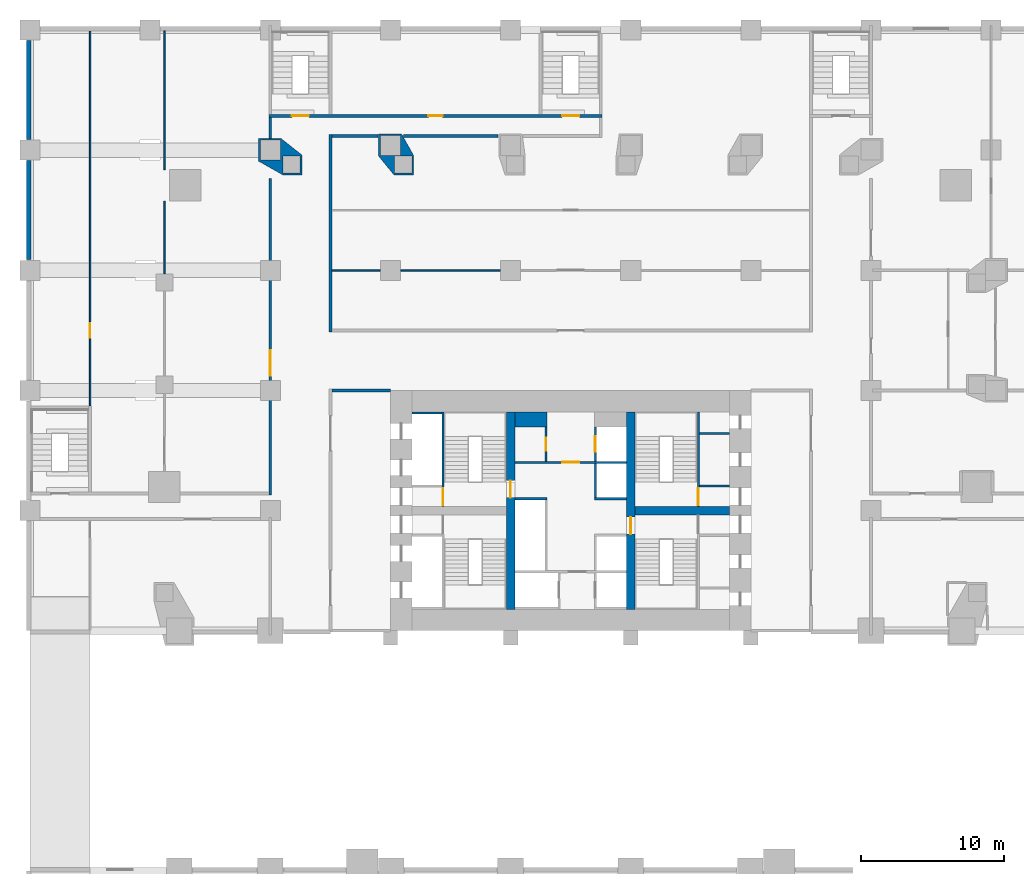
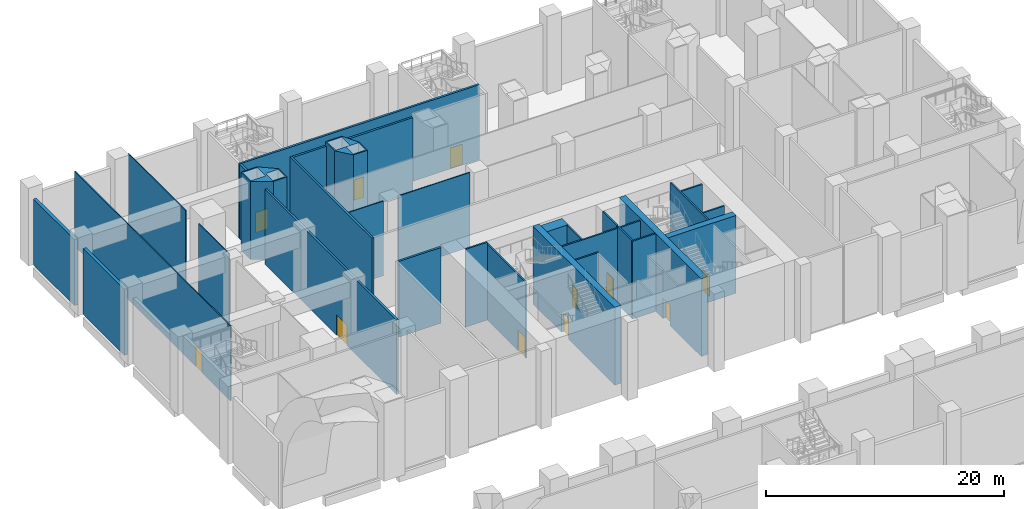
# One storey, part 7 of 19: 31 walls, 12 doors, 12 openings.
"""IFC4 building model written with IfcOpenShell, lengths in metres."""

from ifc_helpers import new_model, si_unit, direction, frame, frame_2d, origin, place, context, subcontext, project, spatial, polyline, rectangle, outline, extrude, material, layer, layer_set, type_object, element, fill, save


model = new_model("IFC4")

# Units and contexts
model_context = context("Model", 3, precision=1e-05, world=origin(), true_north=direction((0.0, 1.0)))
body_context = subcontext(model_context, "Body", "Model", "MODEL_VIEW")
ifc_project = project(units=[si_unit("LENGTHUNIT", "METRE"), si_unit("AREAUNIT", "SQUARE_METRE"), si_unit("VOLUMEUNIT", "CUBIC_METRE"), si_unit("PLANEANGLEUNIT", "RADIAN"), si_unit("MASSUNIT", "GRAM", prefix="KILO")], contexts=[model_context])

# Site, building, storey
site_placement = place(None, origin())
site = spatial("IfcSite", under=ifc_project, at=site_placement, CompositionType="ELEMENT")
building_placement = place(site_placement, origin())
building = spatial("IfcBuilding", under=site, at=building_placement, Name="Marenta Gate Hotel Tower", CompositionType="ELEMENT")
storey_placement = place(building_placement, frame((0.0, 0.0, 13.0)))
storey = spatial("IfcBuildingStorey", under=building, at=storey_placement, Name="L02", CompositionType="ELEMENT", Elevation=13.0)

# Walls
ifc_material_1 = material(Name="Concrete C40 board-marked", Category="concrete")
ifc_layer_1 = layer(ifc_material_1, 0.300048828125)
ifc_layer_set_1 = layer_set([ifc_layer_1], Name="Concrete C40 board-marked")
wall_type_1 = type_object("IfcWallType", Name="Board-marked concrete wall 300 mm", PredefinedType="NOTDEFINED", material=ifc_layer_set_1)
wall_1_placement = place(storey_placement, frame((-37.889892578125, 41.260009765625, 0.0), z_axis=(0.0, 0.0, 1.0), x_axis=(0.0, -1.0, 0.0)))
element("IfcWall", 1, at=wall_1_placement, inside=storey, type_object=wall_type_1, Name="L02-CLD-NB-W000", PredefinedType="NOTDEFINED", context=body_context, shape_type="SweptSolid", body=[
    extrude(rectangle(XDim=6.919921875, YDim=0.300048828125, at=frame_2d((3.4599609375, 0.0))), origin(), (0.0, 0.0, 1.0), 6.780029296875),
])
wall_2_placement = place(storey_placement, frame((-37.889892578125, 32.860107421875, 0.0), z_axis=(0.0, 0.0, 1.0), x_axis=(0.0, -1.0, 0.0)))
element("IfcWall", 2, at=wall_2_placement, inside=storey, type_object=wall_type_1, Name="L02-CLD-NB-W001", PredefinedType="NOTDEFINED", context=body_context, shape_type="SweptSolid", body=[
    extrude(rectangle(XDim=6.920166015625, YDim=0.300048828125, at=frame_2d((3.4599609375, 0.0))), origin(), (0.0, 0.0, 1.0), 6.780029296875),
])
ifc_material_2 = material(Name="Concrete blockwork", Category="masonry")
ifc_layer_2 = layer(ifc_material_2, 0.199951171875)
ifc_layer_set_2 = layer_set([ifc_layer_2], Name="Concrete blockwork")
wall_type_2 = type_object("IfcWallType", Name="Core boundary wall 200 REI 180", PredefinedType="PARTITIONING", material=ifc_layer_set_2)
wall_3_placement = place(storey_placement, frame((-16.699951171875, 16.800048828125, 0.0), z_axis=(0.0, 0.0, 1.0), x_axis=(1.0, 0.0, 0.0)))
element("IfcWall", 3, at=wall_3_placement, inside=storey, type_object=wall_type_2, Name="L02-CP-EW-WN", PredefinedType="PARTITIONING", context=body_context, shape_type="SweptSolid", body=[
    extrude(rectangle(XDim=4.099853515625, YDim=0.199951171875, at=frame_2d((2.0498046875, 0.0))), origin(), (0.0, 0.0, 1.0), 7.780029296875),
])

# Wall, opening, door
ifc_material_3 = material(Name="Concrete blockwork", Category="masonry")
ifc_layer_3 = layer(ifc_material_3, 0.14990234375)
ifc_layer_set_3 = layer_set([ifc_layer_3], Name="Concrete blockwork")
wall_type_3 = type_object("IfcWallType", Name="Core lobby partition 150 REI 180", PredefinedType="PARTITIONING", material=ifc_layer_set_3)
wall_4_placement = place(storey_placement, frame((-3.89990234375, 11.77490234375, 0.0), z_axis=(0.0, 0.0, 1.0), x_axis=(1.0, 0.0, 0.0)))
wall_4 = element("IfcWall", 4, at=wall_4_placement, inside=storey, type_object=wall_type_3, Name="L02-CP-CW-N", PredefinedType="PARTITIONING", context=body_context, shape_type="SweptSolid", body=[
    extrude(rectangle(XDim=7.7998046875, YDim=0.14990234375, at=frame_2d((3.89990234375, 0.0))), origin(), (0.0, 0.0, 1.0), 7.780029296875),
])
opening_1_placement = place(wall_4_placement, frame((3.300048828125, 0.0, 0.0)))
opening_1 = element("IfcOpeningElement", 5, at=opening_1_placement, cuts=wall_4, Name="Opening FD-FFN", PredefinedType="OPENING", context=body_context, shape_type="SweptSolid", body=[
    extrude(rectangle(XDim=1.199951171875, YDim=2.10009765625, at=frame_2d((0.60009765625, 1.050048828125))), frame((0.0, 0.074951171875, 0.0), z_axis=(0.0, -1.0, 0.0), x_axis=(1.0, 0.0, 0.0)), (0.0, 0.0, 1.0), 0.14990234375),
])
ifc_material_4 = material(Name="Steel", Category="steel")
door_type_1 = type_object("IfcDoorType", Name="Core lobby door 1200x2100 FD60", OperationType="SINGLE_SWING_LEFT", PredefinedType="DOOR", material=ifc_material_4)
door_1_placement = place(opening_1_placement, origin())
door_1 = element("IfcDoor", 6, at=door_1_placement, inside=storey, type_object=door_type_1, Name="FD-FFN", OperationType="SINGLE_SWING_LEFT", OverallHeight=2.10009765625, OverallWidth=1.199951171875, PredefinedType="DOOR", context=body_context, shape_type="SweptSolid", body=[
    extrude(rectangle(XDim=1.199951171875, YDim=2.10009765625, at=frame_2d((0.60009765625, 1.050048828125))), frame((0.0, 0.02490234375, 0.0), z_axis=(0.0, -1.0, 0.0), x_axis=(1.0, 0.0, 0.0)), (0.0, 0.0, 1.0), 0.050048828125),
])
fill(opening_1, door_1)

# Walls
ifc_material_5 = material(Name="Concrete blockwork", Category="masonry")
ifc_layer_4 = layer(ifc_material_5, 1.050048828125)
ifc_layer_set_4 = layer_set([ifc_layer_4], Name="Concrete blockwork")
wall_type_4 = type_object("IfcWallType", Name="Core room partition 1050 REI 180", PredefinedType="PARTITIONING", material=ifc_layer_set_4)
wall_5_placement = place(storey_placement, frame((-3.89990234375, 14.77490234375, 0.0), z_axis=(0.0, 0.0, 1.0), x_axis=(1.0, 0.0, 0.0)))
element("IfcWall", 7, at=wall_5_placement, inside=storey, type_object=wall_type_4, Name="L02-CP-CW-W-riser-N", PredefinedType="PARTITIONING", context=body_context, shape_type="SweptSolid", body=[
    extrude(rectangle(XDim=2.25, YDim=1.050048828125, at=frame_2d((1.125, 0.0))), origin(), (0.0, 0.0, 1.0), 7.780029296875),
])
ifc_material_6 = material(Name="Concrete blockwork", Category="masonry")
ifc_layer_5 = layer(ifc_material_6, 0.14990234375)
ifc_layer_set_5 = layer_set([ifc_layer_5], Name="Concrete blockwork")
wall_type_5 = type_object("IfcWallType", Name="Core room partition 150 REI 180", PredefinedType="PARTITIONING", material=ifc_layer_set_5)
for number, where, z_axis, x_axis, name in (
    (8, (9.0, 10.125, 0.0), (0.0, 0.0, 1.0), (1.0, 0.0, 0.0), "L02-CP-SW-EN-2"),
    (9, (9.0, 13.800048828125, 0.0), (0.0, 0.0, 1.0), (1.0, 0.0, 0.0), "L02-CP-RW-EN-1"),
):
    element("IfcWall", number, at=place(storey_placement, frame(where, z_axis=z_axis, x_axis=x_axis)), inside=storey, type_object=wall_type_5, Name=name, PredefinedType="PARTITIONING", context=body_context, shape_type="SweptSolid", body=[
        extrude(rectangle(XDim=2.10009765625, YDim=0.14990234375, at=frame_2d((1.050048828125, 0.0))), origin(), (0.0, 0.0, 1.0), 7.780029296875),
    ])

# Wall, opening, door
wall_6_placement = place(storey_placement, frame((-1.72509765625, 11.85009765625, 0.0), z_axis=(0.0, 0.0, 1.0), x_axis=(0.0, 1.0, 0.0)))
wall_6 = element("IfcWall", 10, at=wall_6_placement, inside=storey, type_object=wall_type_5, Name="L02-CP-CW-W-riser-front", PredefinedType="PARTITIONING", context=body_context, shape_type="SweptSolid", body=[
    extrude(rectangle(XDim=2.39990234375, YDim=0.14990234375, at=frame_2d((1.199951171875, 0.0))), origin(), (0.0, 0.0, 1.0), 7.780029296875),
])
opening_2_placement = place(wall_6_placement, frame((0.75, 0.0, 0.0)))
opening_2 = element("IfcOpeningElement", 11, at=opening_2_placement, cuts=wall_6, Name="Opening RD-CRISER", PredefinedType="OPENING", context=body_context, shape_type="SweptSolid", body=[
    extrude(rectangle(XDim=0.89990234375, YDim=2.10009765625, at=frame_2d((0.449951171875, 1.050048828125))), frame((0.0, 0.074951171875, 0.0), z_axis=(0.0, -1.0, 0.0), x_axis=(1.0, 0.0, 0.0)), (0.0, 0.0, 1.0), 0.14990234375),
])
ifc_material_7 = material(Name="Steel", Category="steel")
door_type_2 = type_object("IfcDoorType", Name="Core riser door 900x2100 FD60", OperationType="SINGLE_SWING_LEFT", PredefinedType="DOOR", material=ifc_material_7)
door_2_placement = place(opening_2_placement, origin())
door_2 = element("IfcDoor", 12, at=door_2_placement, inside=storey, type_object=door_type_2, Name="RD-CRISER", OperationType="SINGLE_SWING_LEFT", OverallHeight=2.10009765625, OverallWidth=0.89990234375, PredefinedType="DOOR", context=body_context, shape_type="SweptSolid", body=[
    extrude(rectangle(XDim=0.89990234375, YDim=2.10009765625, at=frame_2d((0.449951171875, 1.050048828125))), frame((0.0, 0.02490234375, 0.0), z_axis=(0.0, -1.0, 0.0), x_axis=(1.0, 0.0, 0.0)), (0.0, 0.0, 1.0), 0.050048828125),
])
fill(opening_2, door_2)

# Walls
ifc_material_8 = material(Name="Concrete C40", Category="concrete")
ifc_layer_6 = layer(ifc_material_8, 0.14990234375)
ifc_layer_set_6 = layer_set([ifc_layer_6], Name="Concrete C40")
wall_type_6 = type_object("IfcWallType", Name="Core shaft wall 150 REI 180", PredefinedType="SHEAR", material=ifc_layer_set_6)
wall_7_placement = place(storey_placement, frame((-11.10009765625, 15.22509765625, 0.0), z_axis=(0.0, 0.0, 1.0), x_axis=(1.0, 0.0, 0.0)))
element("IfcWall", 13, at=wall_7_placement, inside=storey, type_object=wall_type_6, Name="L02-SHF-SW-WN-5", PredefinedType="SHEAR", context=body_context, shape_type="SweptSolid", body=[
    extrude(rectangle(XDim=2.10009765625, YDim=0.14990234375, at=frame_2d((1.050048828125, 0.0))), origin(), (0.0, 0.0, 1.0), 8.0),
])
wall_8_placement = place(storey_placement, frame((-3.89990234375, 9.22509765625, 0.0), z_axis=(0.0, 0.0, 1.0), x_axis=(1.0, 0.0, 0.0)))
element("IfcWall", 14, at=wall_8_placement, inside=storey, type_object=wall_type_6, Name="L02-SHF-CW-W-sep", PredefinedType="SHEAR", context=body_context, shape_type="SweptSolid", body=[
    extrude(rectangle(XDim=2.25, YDim=0.14990234375, at=frame_2d((1.125, 0.0))), origin(), (0.0, 0.0, 1.0), 8.0),
])

# Wall, opening, door
wall_9_placement = place(storey_placement, frame((1.72509765625, 11.85009765625, 0.0), z_axis=(0.0, 0.0, 1.0), x_axis=(0.0, 1.0, 0.0)))
wall_9 = element("IfcWall", 15, at=wall_9_placement, inside=storey, type_object=wall_type_6, Name="L02-SHF-CE-N-front2", PredefinedType="SHEAR", context=body_context, shape_type="SweptSolid", body=[
    extrude(rectangle(XDim=2.39990234375, YDim=0.14990234375, at=frame_2d((1.199951171875, 0.0))), origin(), (0.0, 0.0, 1.0), 8.0),
])
opening_3_placement = place(wall_9_placement, frame((0.64990234375, 0.0, 0.0)))
opening_3 = element("IfcOpeningElement", 16, at=opening_3_placement, cuts=wall_9, Name="Opening LD-FF2", PredefinedType="OPENING", context=body_context, shape_type="SweptSolid", body=[
    extrude(rectangle(XDim=1.10009765625, YDim=2.10009765625, at=frame_2d((0.550048828125, 1.050048828125))), frame((0.0, 0.074951171875, 0.0), z_axis=(0.0, -1.0, 0.0), x_axis=(1.0, 0.0, 0.0)), (0.0, 0.0, 1.0), 0.14990234375),
])
ifc_material_9 = material(Name="Steel", Category="steel")
door_type_3 = type_object("IfcDoorType", Name="Core lift landing door 1100x2100 E 60", OperationType="SLIDING_TO_LEFT", PredefinedType="DOOR", material=ifc_material_9)
door_3_placement = place(opening_3_placement, origin())
door_3 = element("IfcDoor", 17, at=door_3_placement, inside=storey, type_object=door_type_3, Name="LD-FF2", OperationType="SLIDING_TO_LEFT", OverallHeight=2.10009765625, OverallWidth=1.10009765625, PredefinedType="DOOR", context=body_context, shape_type="SweptSolid", body=[
    extrude(rectangle(XDim=1.10009765625, YDim=2.10009765625, at=frame_2d((0.550048828125, 1.050048828125))), frame((0.0, 0.02490234375, 0.0), z_axis=(0.0, -1.0, 0.0), x_axis=(1.0, 0.0, 0.0)), (0.0, 0.0, 1.0), 0.050048828125),
])
fill(opening_3, door_3)

# Walls
wall_10_placement = place(storey_placement, frame((1.64990234375, 9.22509765625, 0.0), z_axis=(0.0, 0.0, 1.0), x_axis=(1.0, 0.0, 0.0)))
element("IfcWall", 18, at=wall_10_placement, inside=storey, type_object=wall_type_6, Name="L02-SHF-CE-sep2", PredefinedType="SHEAR", context=body_context, shape_type="SweptSolid", body=[
    extrude(rectangle(XDim=2.25, YDim=0.14990234375, at=frame_2d((1.125, 0.0))), origin(), (0.0, 0.0, 1.0), 8.0),
])
wall_11_placement = place(storey_placement, frame((1.72509765625, 9.300048828125, 0.0), z_axis=(0.0, 0.0, 1.0), x_axis=(0.0, 1.0, 0.0)))
element("IfcWall", 19, at=wall_11_placement, inside=storey, type_object=wall_type_6, Name="L02-SHF-CE-front-2", PredefinedType="SHEAR", context=body_context, shape_type="SweptSolid", body=[
    extrude(rectangle(XDim=2.39990234375, YDim=0.14990234375, at=frame_2d((1.199951171875, 0.0))), origin(), (0.0, 0.0, 1.0), 8.0),
])

# Wall, opening, door
ifc_material_10 = material(Name="Concrete C40", Category="concrete")
ifc_layer_7 = layer(ifc_material_10, 0.14990234375)
ifc_layer_set_7 = layer_set([ifc_layer_7], Name="Concrete C40")
wall_type_7 = type_object("IfcWallType", Name="Core stair enclosure wall 150 REI 180", PredefinedType="SHEAR", material=ifc_layer_set_7)
wall_12_placement = place(storey_placement, frame((-8.925048828125, 8.699951171875, 0.0), z_axis=(0.0, 0.0, 1.0), x_axis=(0.0, 1.0, 0.0)))
wall_12 = element("IfcWall", 20, at=wall_12_placement, inside=storey, type_object=wall_type_7, Name="L02-SHF-SW-WN-3", PredefinedType="SHEAR", context=body_context, shape_type="SweptSolid", body=[
    extrude(rectangle(XDim=6.60009765625, YDim=0.14990234375, at=frame_2d((3.300048828125, 0.0))), origin(), (0.0, 0.0, 1.0), 7.780029296875),
])
opening_4_placement = place(wall_12_placement, frame((0.074951171875, 0.0, 0.0)))
opening_4 = element("IfcOpeningElement", 21, at=opening_4_placement, cuts=wall_12, Name="Opening SD-WN", PredefinedType="OPENING", context=body_context, shape_type="SweptSolid", body=[
    extrude(rectangle(XDim=1.199951171875, YDim=2.10009765625, at=frame_2d((0.60009765625, 1.050048828125))), frame((0.0, 0.074951171875, 0.0), z_axis=(0.0, -1.0, 0.0), x_axis=(1.0, 0.0, 0.0)), (0.0, 0.0, 1.0), 0.14990234375),
])
ifc_material_11 = material(Name="Steel", Category="steel")
door_type_4 = type_object("IfcDoorType", Name="Core stair door 1200x2100 FD60", OperationType="SINGLE_SWING_LEFT", PredefinedType="DOOR", material=ifc_material_11)
door_4_placement = place(opening_4_placement, origin())
door_4 = element("IfcDoor", 22, at=door_4_placement, inside=storey, type_object=door_type_4, Name="SD-WN", OperationType="SINGLE_SWING_LEFT", OverallHeight=2.10009765625, OverallWidth=1.199951171875, PredefinedType="DOOR", context=body_context, shape_type="SweptSolid", body=[
    extrude(rectangle(XDim=1.199951171875, YDim=2.10009765625, at=frame_2d((0.60009765625, 1.050048828125))), frame((0.0, 0.02490234375, 0.0), z_axis=(0.0, -1.0, 0.0), x_axis=(1.0, 0.0, 0.0)), (0.0, 0.0, 1.0), 0.050048828125),
])
fill(opening_4, door_4)

wall_13_placement = place(storey_placement, frame((8.925048828125, 8.699951171875, 0.0), z_axis=(0.0, 0.0, 1.0), x_axis=(0.0, 1.0, 0.0)))
wall_13 = element("IfcWall", 23, at=wall_13_placement, inside=storey, type_object=wall_type_7, Name="L02-SHF-SW-EN-3", PredefinedType="SHEAR", context=body_context, shape_type="SweptSolid", body=[
    extrude(rectangle(XDim=6.60009765625, YDim=0.14990234375, at=frame_2d((3.300048828125, 0.0))), origin(), (0.0, 0.0, 1.0), 7.780029296875),
])
opening_5_placement = place(wall_13_placement, frame((0.074951171875, 0.0, 0.0)))
opening_5 = element("IfcOpeningElement", 24, at=opening_5_placement, cuts=wall_13, Name="Opening SD-EN", PredefinedType="OPENING", context=body_context, shape_type="SweptSolid", body=[
    extrude(rectangle(XDim=1.199951171875, YDim=2.10009765625, at=frame_2d((0.60009765625, 1.050048828125))), frame((0.0, 0.074951171875, 0.0), z_axis=(0.0, -1.0, 0.0), x_axis=(1.0, 0.0, 0.0)), (0.0, 0.0, 1.0), 0.14990234375),
])
door_5_placement = place(opening_5_placement, origin())
door_5 = element("IfcDoor", 25, at=door_5_placement, inside=storey, type_object=door_type_4, Name="SD-EN", OperationType="SINGLE_SWING_LEFT", OverallHeight=2.10009765625, OverallWidth=1.199951171875, PredefinedType="DOOR", context=body_context, shape_type="SweptSolid", body=[
    extrude(rectangle(XDim=1.199951171875, YDim=2.10009765625, at=frame_2d((0.60009765625, 1.050048828125))), frame((0.0, 0.02490234375, 0.0), z_axis=(0.0, -1.0, 0.0), x_axis=(1.0, 0.0, 0.0)), (0.0, 0.0, 1.0), 0.050048828125),
])
fill(opening_5, door_5)

ifc_material_12 = material(Name="Concrete C80", Category="concrete")
ifc_layer_8 = layer(ifc_material_12, 0.60009765625)
ifc_layer_set_8 = layer_set([ifc_layer_8], Name="Concrete C80")
wall_type_8 = type_object("IfcWallType", Name="Core web 600 C80", PredefinedType="SHEAR", material=ifc_layer_set_8)
wall_14_placement = place(storey_placement, frame((-4.199951171875, 1.5, 0.0), z_axis=(0.0, 0.0, 1.0), x_axis=(0.0, 1.0, 0.0)))
wall_14 = element("IfcWall", 26, at=wall_14_placement, inside=storey, type_object=wall_type_8, Name="L02-CORE-W1", PredefinedType="SHEAR", context=body_context, shape_type="SweptSolid", body=[
    extrude(rectangle(XDim=13.800048828125, YDim=0.60009765625, at=frame_2d((6.89990234375, 0.0))), origin(), (0.0, 0.0, 1.0), 8.0),
])
opening_6_placement = place(wall_14_placement, frame((7.800048828125, 0.0, 0.0)))
opening_6 = element("IfcOpeningElement", 27, at=opening_6_placement, cuts=wall_14, Name="Opening WD-W", PredefinedType="OPENING", context=body_context, shape_type="SweptSolid", body=[
    extrude(rectangle(XDim=1.199951171875, YDim=2.10009765625, at=frame_2d((0.60009765625, 1.050048828125))), frame((0.0, 0.300048828125, 0.0), z_axis=(0.0, -1.0, 0.0), x_axis=(1.0, 0.0, 0.0)), (0.0, 0.0, 1.0), 0.60009765625),
])
door_6_placement = place(opening_6_placement, origin())
door_6 = element("IfcDoor", 28, at=door_6_placement, inside=storey, type_object=door_type_4, Name="WD-W", OperationType="SINGLE_SWING_LEFT", OverallHeight=2.10009765625, OverallWidth=1.199951171875, PredefinedType="DOOR", context=body_context, shape_type="SweptSolid", body=[
    extrude(rectangle(XDim=1.199951171875, YDim=2.10009765625, at=frame_2d((0.60009765625, 1.050048828125))), frame((0.0, 0.02490234375, 0.0), z_axis=(0.0, -1.0, 0.0), x_axis=(1.0, 0.0, 0.0)), (0.0, 0.0, 1.0), 0.050048828125),
])
fill(opening_6, door_6)

wall_15_placement = place(storey_placement, frame((4.199951171875, 1.5, 0.0), z_axis=(0.0, 0.0, 1.0), x_axis=(0.0, 1.0, 0.0)))
wall_15 = element("IfcWall", 29, at=wall_15_placement, inside=storey, type_object=wall_type_8, Name="L02-CORE-W2", PredefinedType="SHEAR", context=body_context, shape_type="SweptSolid", body=[
    extrude(rectangle(XDim=13.800048828125, YDim=0.60009765625, at=frame_2d((6.89990234375, 0.0))), origin(), (0.0, 0.0, 1.0), 8.0),
])
opening_7_placement = place(wall_15_placement, frame((5.25, 0.0, 0.0)))
opening_7 = element("IfcOpeningElement", 30, at=opening_7_placement, cuts=wall_15, Name="Opening WD-E", PredefinedType="OPENING", context=body_context, shape_type="SweptSolid", body=[
    extrude(rectangle(XDim=1.199951171875, YDim=2.10009765625, at=frame_2d((0.60009765625, 1.050048828125))), frame((0.0, 0.300048828125, 0.0), z_axis=(0.0, -1.0, 0.0), x_axis=(1.0, 0.0, 0.0)), (0.0, 0.0, 1.0), 0.60009765625),
])
door_7_placement = place(opening_7_placement, origin())
door_7 = element("IfcDoor", 31, at=door_7_placement, inside=storey, type_object=door_type_4, Name="WD-E", OperationType="SINGLE_SWING_LEFT", OverallHeight=2.10009765625, OverallWidth=1.199951171875, PredefinedType="DOOR", context=body_context, shape_type="SweptSolid", body=[
    extrude(rectangle(XDim=1.199951171875, YDim=2.10009765625, at=frame_2d((0.60009765625, 1.050048828125))), frame((0.0, 0.02490234375, 0.0), z_axis=(0.0, -1.0, 0.0), x_axis=(1.0, 0.0, 0.0)), (0.0, 0.0, 1.0), 0.050048828125),
])
fill(opening_7, door_7)

# Walls
wall_16_placement = place(storey_placement, frame((4.5, 8.39990234375, 0.0), z_axis=(0.0, 0.0, 1.0), x_axis=(1.0, 0.0, 0.0)))
element("IfcWall", 32, at=wall_16_placement, inside=storey, type_object=wall_type_8, Name="L02-CORE-W4", PredefinedType="SHEAR", context=body_context, shape_type="SweptSolid", body=[
    extrude(rectangle(XDim=6.60009765625, YDim=0.60009765625, at=frame_2d((3.300048828125, 0.0))), origin(), (0.0, 0.0, 1.0), 8.0),
])
ifc_material_13 = material(Name="Concrete C70", Category="concrete")
ifc_layer_9 = layer(ifc_material_13, 1.60009765625)
ifc_layer_set_9 = layer_set([ifc_layer_9], Name="Concrete C70")
wall_type_9 = type_object("IfcWallType", Name="Pier wall board-marked concrete C70", PredefinedType="SOLIDWALL", material=ifc_layer_set_9)
wall_17_placement = place(storey_placement, origin())
element("IfcWall", 33, at=wall_17_placement, inside=storey, type_object=wall_type_9, Name="L02-PIER-2", PredefinedType="SOLIDWALL", context=body_context, shape_type="SweptSolid", body=[
    extrude(outline(polyline([(-21.820068359375, 34.419921875), (-20.25830078125, 34.419921875), (-18.786865234375, 33.258056640625), (-18.786865234375, 31.8798828125), (-20.138427734375, 31.8798828125), (-21.820068359375, 32.830078125), (-21.820068359375, 34.419921875)]), holes=[polyline([(-18.906982421875, 32.0), (-18.906982421875, 33.199951171875), (-20.10693359375, 33.199951171875), (-20.10693359375, 32.0), (-18.906982421875, 32.0)]), polyline([(-20.300048828125, 32.89990234375), (-20.300048828125, 34.300048828125), (-21.699951171875, 34.300048828125), (-21.699951171875, 32.89990234375), (-20.300048828125, 32.89990234375)])]), origin(), (0.0, 0.0, 1.0), 8.0),
])
wall_18_placement = place(storey_placement, origin())
element("IfcWall", 34, at=wall_18_placement, inside=storey, type_object=wall_type_9, Name="L02-PIER-3", PredefinedType="SOLIDWALL", context=body_context, shape_type="SweptSolid", body=[
    extrude(outline(polyline([(-13.419921875, 33.17724609375), (-13.419921875, 34.739990234375), (-11.82958984375, 34.739990234375), (-10.984130859375, 33.2314453125), (-10.984130859375, 31.8798828125), (-12.361083984375, 31.8798828125), (-13.419921875, 33.17724609375)]), holes=[polyline([(-12.30419921875, 32.0), (-11.10400390625, 32.0), (-11.10400390625, 33.199951171875), (-12.30419921875, 33.199951171875), (-12.30419921875, 32.0)]), polyline([(-13.300048828125, 33.219970703125), (-11.89990234375, 33.219970703125), (-11.89990234375, 34.6201171875), (-13.300048828125, 34.6201171875), (-13.300048828125, 33.219970703125)])]), origin(), (0.0, 0.0, 1.0), 8.0),
])

# Wall, opening, door
ifc_material_14 = material(Name="Concrete blockwork", Category="masonry")
ifc_layer_10 = layer(ifc_material_14, 0.199951171875)
ifc_layer_set_10 = layer_set([ifc_layer_10], Name="Concrete blockwork")
wall_type_10 = type_object("IfcWallType", Name="Room corridor wall 200 EI 180", PredefinedType="PARTITIONING", material=ifc_layer_set_10)
wall_19_placement = place(storey_placement, frame((-21.0, 9.5, 0.0), z_axis=(0.0, 0.0, 1.0), x_axis=(0.0, 1.0, 0.0)))
wall_19 = element("IfcWall", 35, at=wall_19_placement, inside=storey, type_object=wall_type_10, Name="L02-PTN-W048", PredefinedType="PARTITIONING", context=body_context, shape_type="SweptSolid", body=[
    extrude(rectangle(XDim=22.135009765625, YDim=0.199951171875, at=frame_2d((11.0673828125, 0.0))), origin(), (0.0, 0.0, 1.0), 7.679931640625),
])
opening_8_placement = place(wall_19_placement, frame((8.318115234375, 0.0, 0.0)))
opening_8 = element("IfcOpeningElement", 36, at=opening_8_placement, cuts=wall_19, Name="Opening S03-04", PredefinedType="OPENING", context=body_context, shape_type="SweptSolid", body=[
    extrude(rectangle(XDim=1.800048828125, YDim=2.10009765625, at=frame_2d((0.89990234375, 1.050048828125))), frame((0.0, 0.10009765625, 0.0), z_axis=(0.0, -1.0, 0.0), x_axis=(1.0, 0.0, 0.0)), (0.0, 0.0, 1.0), 0.199951171875),
])
ifc_material_15 = material(Name="Timber door leaf", Category="wood")
door_type_5 = type_object("IfcDoorType", Name="Room amenity door 1800x2100 EI 60", OperationType="DOUBLE_DOOR_SINGLE_SWING", PredefinedType="DOOR", material=ifc_material_15)
door_8_placement = place(opening_8_placement, origin())
door_8 = element("IfcDoor", 37, at=door_8_placement, inside=storey, type_object=door_type_5, Name="L02-PD-D004", OperationType="DOUBLE_DOOR_SINGLE_SWING", OverallHeight=2.10009765625, OverallWidth=1.800048828125, PredefinedType="DOOR", context=body_context, shape_type="SweptSolid", body=[
    extrude(rectangle(XDim=1.800048828125, YDim=2.10009765625, at=frame_2d((0.89990234375, 1.050048828125))), frame((0.0, 0.02490234375, 0.0), z_axis=(0.0, -1.0, 0.0), x_axis=(1.0, 0.0, 0.0)), (0.0, 0.0, 1.0), 0.050048828125),
])
fill(opening_8, door_8)

# Walls
wall_20_placement = place(storey_placement, frame((-21.0, 34.419921875, 0.0), z_axis=(0.0, 0.0, 1.0), x_axis=(0.0, 1.0, 0.0)))
element("IfcWall", 38, at=wall_20_placement, inside=storey, type_object=wall_type_10, Name="L02-PTN-W049", PredefinedType="PARTITIONING", context=body_context, shape_type="SweptSolid", body=[
    extrude(rectangle(XDim=1.47998046875, YDim=0.199951171875, at=frame_2d((0.739990234375, 0.0))), origin(), (0.0, 0.0, 1.0), 7.679931640625),
])
ifc_material_16 = material(Name="Gypsum board on steel stud", Category="steel")
ifc_layer_11 = layer(ifc_material_16, 0.199951171875)
ifc_layer_set_11 = layer_set([ifc_layer_11], Name="Gypsum board on steel stud")
wall_type_11 = type_object("IfcWallType", Name="Room corridor wall 200 EI 60", PredefinedType="PARTITIONING", material=ifc_layer_set_11)
wall_21_placement = place(storey_placement, frame((-16.800048828125, 20.89990234375, 0.0), z_axis=(0.0, 0.0, 1.0), x_axis=(0.0, 1.0, 0.0)))
element("IfcWall", 39, at=wall_21_placement, inside=storey, type_object=wall_type_11, Name="L02-PTN-W043", PredefinedType="PARTITIONING", context=body_context, shape_type="SweptSolid", body=[
    extrude(rectangle(XDim=13.800048828125, YDim=0.199951171875, at=frame_2d((6.89990234375, 0.0))), origin(), (0.0, 0.0, 1.0), 7.679931640625),
])
ifc_material_17 = material(Name="Concrete blockwork", Category="masonry")
ifc_layer_12 = layer(ifc_material_17, 0.199951171875)
ifc_layer_set_12 = layer_set([ifc_layer_12], Name="Concrete blockwork")
wall_type_12 = type_object("IfcWallType", Name="Room corridor wall 200 REI 180", PredefinedType="PARTITIONING", material=ifc_layer_set_12)
wall_22_placement = place(storey_placement, frame((-16.699951171875, 34.60009765625, 0.0), z_axis=(0.0, 0.0, 1.0), x_axis=(1.0, 0.0, 0.0)))
element("IfcWall", 40, at=wall_22_placement, inside=storey, type_object=wall_type_12, Name="L02-PTN-W071", PredefinedType="PARTITIONING", context=body_context, shape_type="SweptSolid", body=[
    extrude(rectangle(XDim=3.22998046875, YDim=0.199951171875, at=frame_2d((1.614990234375, 0.0))), origin(), (0.0, 0.0, 1.0), 7.679931640625),
])
wall_23_placement = place(storey_placement, frame((-11.694091796875, 34.60009765625, 0.0), z_axis=(0.0, 0.0, 1.0), x_axis=(1.0, 0.0, 0.0)))
element("IfcWall", 41, at=wall_23_placement, inside=storey, type_object=wall_type_12, Name="L02-PTN-W072", PredefinedType="PARTITIONING", context=body_context, shape_type="SweptSolid", body=[
    extrude(rectangle(XDim=6.6240234375, YDim=0.199951171875, at=frame_2d((3.31201171875, 0.0))), origin(), (0.0, 0.0, 1.0), 7.679931640625),
])

# Wall, openings, doors
wall_24_placement = place(storey_placement, frame((-21.10009765625, 36.0, 0.0), z_axis=(0.0, 0.0, 1.0), x_axis=(1.0, 0.0, 0.0)))
wall_24 = element("IfcWall", 42, at=wall_24_placement, inside=storey, type_object=wall_type_12, Name="L02-PTN-W074", PredefinedType="PARTITIONING", context=body_context, shape_type="SweptSolid", body=[
    extrude(rectangle(XDim=23.300048828125, YDim=0.199951171875, at=frame_2d((11.64990234375, 0.0))), origin(), (0.0, 0.0, 1.0), 7.679931640625),
])
opening_9_placement = place(wall_24_placement, frame((1.60009765625, 0.0, 0.0)))
opening_9 = element("IfcOpeningElement", 43, at=opening_9_placement, cuts=wall_24, Name="Opening S03-01", PredefinedType="OPENING", context=body_context, shape_type="SweptSolid", body=[
    extrude(rectangle(XDim=1.199951171875, YDim=2.10009765625, at=frame_2d((0.60009765625, 1.050048828125))), frame((0.0, 0.10009765625, 0.0), z_axis=(0.0, -1.0, 0.0), x_axis=(1.0, 0.0, 0.0)), (0.0, 0.0, 1.0), 0.199951171875),
])
opening_10_placement = place(wall_24_placement, frame((11.14990234375, 0.0, 0.0)))
opening_10 = element("IfcOpeningElement", 44, at=opening_10_placement, cuts=wall_24, Name="Opening S03-16", PredefinedType="OPENING", context=body_context, shape_type="SweptSolid", body=[
    extrude(rectangle(XDim=1.0, YDim=2.10009765625, at=frame_2d((0.5, 1.050048828125))), frame((0.0, 0.10009765625, 0.0), z_axis=(0.0, -1.0, 0.0), x_axis=(1.0, 0.0, 0.0)), (0.0, 0.0, 1.0), 0.199951171875),
])
opening_11_placement = place(wall_24_placement, frame((20.5, 0.0, 0.0)))
opening_11 = element("IfcOpeningElement", 45, at=opening_11_placement, cuts=wall_24, Name="Opening S03-29", PredefinedType="OPENING", context=body_context, shape_type="SweptSolid", body=[
    extrude(rectangle(XDim=1.199951171875, YDim=2.10009765625, at=frame_2d((0.60009765625, 1.050048828125))), frame((0.0, 0.10009765625, 0.0), z_axis=(0.0, -1.0, 0.0), x_axis=(1.0, 0.0, 0.0)), (0.0, 0.0, 1.0), 0.199951171875),
])
ifc_material_18 = material(Name="Hollow steel door set", Category="steel")
door_type_6 = type_object("IfcDoorType", Name="Podium stair door 1200x2100 EI 60", OperationType="NOTDEFINED", PredefinedType="DOOR", material=ifc_material_18)
door_9_placement = place(opening_9_placement, origin())
door_9 = element("IfcDoor", 46, at=door_9_placement, inside=storey, type_object=door_type_6, Name="L02-PD-D001", OperationType="SINGLE_SWING_RIGHT", OverallHeight=2.10009765625, OverallWidth=1.199951171875, PredefinedType="DOOR", context=body_context, shape_type="SweptSolid", body=[
    extrude(rectangle(XDim=1.199951171875, YDim=2.10009765625, at=frame_2d((0.60009765625, 1.050048828125))), frame((0.0, 0.02490234375, 0.0), z_axis=(0.0, -1.0, 0.0), x_axis=(1.0, 0.0, 0.0)), (0.0, 0.0, 1.0), 0.050048828125),
])
fill(opening_9, door_9)
door_10_placement = place(opening_11_placement, origin())
door_10 = element("IfcDoor", 47, at=door_10_placement, inside=storey, type_object=door_type_6, Name="L02-PD-D029", OperationType="SINGLE_SWING_LEFT", OverallHeight=2.10009765625, OverallWidth=1.199951171875, PredefinedType="DOOR", context=body_context, shape_type="SweptSolid", body=[
    extrude(rectangle(XDim=1.199951171875, YDim=2.10009765625, at=frame_2d((0.60009765625, 1.050048828125))), frame((0.0, 0.02490234375, 0.0), z_axis=(0.0, -1.0, 0.0), x_axis=(1.0, 0.0, 0.0)), (0.0, 0.0, 1.0), 0.050048828125),
])
fill(opening_11, door_10)
ifc_material_19 = material(Name="Timber door leaf", Category="wood")
door_type_7 = type_object("IfcDoorType", Name="Room inner door 1000x2100 EI 60", OperationType="NOTDEFINED", PredefinedType="DOOR", material=ifc_material_19)
door_11_placement = place(opening_10_placement, origin())
door_11 = element("IfcDoor", 48, at=door_11_placement, inside=storey, type_object=door_type_7, Name="L02-PD-D016", OperationType="SINGLE_SWING_LEFT", OverallHeight=2.10009765625, OverallWidth=1.0, PredefinedType="DOOR", context=body_context, shape_type="SweptSolid", body=[
    extrude(rectangle(XDim=1.0, YDim=2.10009765625, at=frame_2d((0.5, 1.050048828125))), frame((0.0, 0.02490234375, 0.0), z_axis=(0.0, -1.0, 0.0), x_axis=(1.0, 0.0, 0.0)), (0.0, 0.0, 1.0), 0.050048828125),
])
fill(opening_10, door_11)

# Walls
ifc_material_20 = material(Name="Gypsum board on steel stud", Category="steel")
ifc_layer_13 = layer(ifc_material_20, 0.10009765625)
ifc_layer_set_13 = layer_set([ifc_layer_13], Name="Gypsum board on steel stud")
wall_type_13 = type_object("IfcWallType", Name="Room partition 100", PredefinedType="PARTITIONING", material=ifc_layer_set_13)
wall_25_placement = place(storey_placement, frame((-16.699951171875, 25.199951171875, 0.0), z_axis=(0.0, 0.0, 1.0), x_axis=(1.0, 0.0, 0.0)))
element("IfcWall", 49, at=wall_25_placement, inside=storey, type_object=wall_type_13, Name="L02-PTN-W052", PredefinedType="PARTITIONING", context=body_context, shape_type="SweptSolid", body=[
    extrude(rectangle(XDim=3.3798828125, YDim=0.10009765625, at=frame_2d((1.68994140625, 0.0))), origin(), (0.0, 0.0, 1.0), 7.679931640625),
])
wall_26_placement = place(storey_placement, frame((-11.8798828125, 25.199951171875, 0.0), z_axis=(0.0, 0.0, 1.0), x_axis=(1.0, 0.0, 0.0)))
element("IfcWall", 50, at=wall_26_placement, inside=storey, type_object=wall_type_13, Name="L02-PTN-W053", PredefinedType="PARTITIONING", context=body_context, shape_type="SweptSolid", body=[
    extrude(rectangle(XDim=6.9599609375, YDim=0.10009765625, at=frame_2d((3.47998046875, 0.0))), origin(), (0.0, 0.0, 1.0), 7.679931640625),
])
wall_27_placement = place(storey_placement, frame((-28.39990234375, 24.97607421875, 0.0), z_axis=(0.0, 0.0, 1.0), x_axis=(0.0, 1.0, 0.0)))
element("IfcWall", 51, at=wall_27_placement, inside=storey, type_object=wall_type_13, Name="L02-PTN-W061", PredefinedType="PARTITIONING", context=body_context, shape_type="SweptSolid", body=[
    extrude(rectangle(XDim=5.059814453125, YDim=0.10009765625, at=frame_2d((2.52978515625, 0.0))), origin(), (0.0, 0.0, 1.0), 7.679931640625),
])
wall_28_placement = place(storey_placement, frame((-28.39990234375, 32.236083984375, 0.0), z_axis=(0.0, 0.0, 1.0), x_axis=(0.0, 1.0, 0.0)))
element("IfcWall", 52, at=wall_28_placement, inside=storey, type_object=wall_type_13, Name="L02-PTN-W062", PredefinedType="PARTITIONING", context=body_context, shape_type="SweptSolid", body=[
    extrude(rectangle(XDim=9.703857421875, YDim=0.10009765625, at=frame_2d((4.85205078125, 0.0))), origin(), (0.0, 0.0, 1.0), 7.679931640625),
])

# Wall, opening, door
wall_29_placement = place(storey_placement, frame((-33.60009765625, 15.699951171875, 0.0), z_axis=(0.0, 0.0, 1.0), x_axis=(0.0, 1.0, 0.0)))
wall_29 = element("IfcWall", 53, at=wall_29_placement, inside=storey, type_object=wall_type_13, Name="L02-PTN-W070", PredefinedType="PARTITIONING", context=body_context, shape_type="SweptSolid", body=[
    extrude(rectangle(XDim=26.239990234375, YDim=0.10009765625, at=frame_2d((13.1201171875, 0.0))), origin(), (0.0, 0.0, 1.0), 7.679931640625),
])
opening_12_placement = place(wall_29_placement, frame((4.800048828125, 0.0, 0.0)))
opening_12 = element("IfcOpeningElement", 54, at=opening_12_placement, cuts=wall_29, Name="Opening S03-06", PredefinedType="OPENING", context=body_context, shape_type="SweptSolid", body=[
    extrude(rectangle(XDim=1.0, YDim=2.10009765625, at=frame_2d((0.5, 1.050048828125))), frame((0.0, 0.050048828125, 0.0), z_axis=(0.0, -1.0, 0.0), x_axis=(1.0, 0.0, 0.0)), (0.0, 0.0, 1.0), 0.10009765625),
])
ifc_material_21 = material(Name="Hollow steel door set", Category="steel")
door_type_8 = type_object("IfcDoorType", Name="Room service door 1000x2100", OperationType="NOTDEFINED", PredefinedType="DOOR", material=ifc_material_21)
door_12_placement = place(opening_12_placement, origin())
door_12 = element("IfcDoor", 55, at=door_12_placement, inside=storey, type_object=door_type_8, Name="L02-PD-D006", OperationType="SINGLE_SWING_LEFT", OverallHeight=2.10009765625, OverallWidth=1.0, PredefinedType="DOOR", context=body_context, shape_type="SweptSolid", body=[
    extrude(rectangle(XDim=1.0, YDim=2.10009765625, at=frame_2d((0.5, 1.050048828125))), frame((0.0, 0.02490234375, 0.0), z_axis=(0.0, -1.0, 0.0), x_axis=(1.0, 0.0, 0.0)), (0.0, 0.0, 1.0), 0.050048828125),
])
fill(opening_12, door_12)

save(model, "model.ifc")
